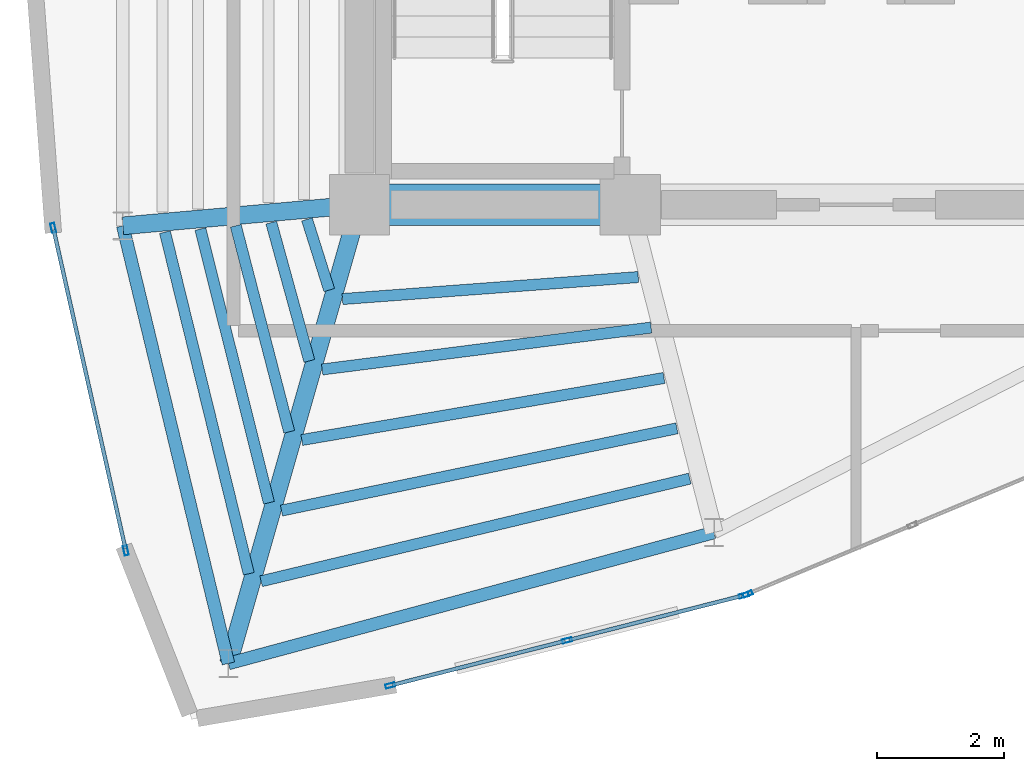
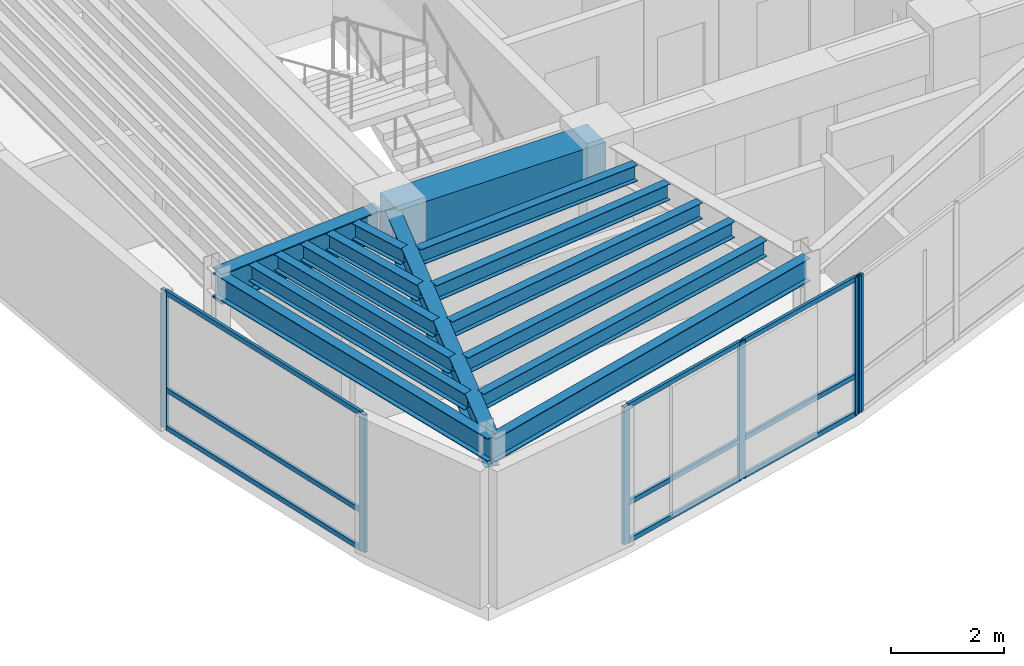
# One storey, part 2 of 14: 15 beams, 15 members, 3 elements without a shape of their own.
"""IFC4 building model written with IfcOpenShell, lengths in metres."""

from ifc_helpers import new_model, si_unit, direction, frame, origin, origin_2d, place, context, subcontext, project, spatial, rectangle, hollow_rectangle, i_section, extrude, material, layer, layer_set, material_profile, profile_set, type_object, element, aggregate, save


model = new_model("IFC4")

# Units and contexts
model_context = context("Model", 3, precision=1e-05, world=origin(), true_north=direction((0.0, 1.0)))
body_context = subcontext(model_context, "Body", "Model", "MODEL_VIEW")
ifc_project = project(units=[si_unit("LENGTHUNIT", "METRE"), si_unit("AREAUNIT", "SQUARE_METRE"), si_unit("VOLUMEUNIT", "CUBIC_METRE"), si_unit("PLANEANGLEUNIT", "RADIAN"), si_unit("MASSUNIT", "GRAM", prefix="KILO")], contexts=[model_context])

# Site, building, storey
site_placement = place(None, origin())
site = spatial("IfcSite", under=ifc_project, at=site_placement, CompositionType="ELEMENT")
building_placement = place(site_placement, origin())
building = spatial("IfcBuilding", under=site, at=building_placement, Name="Menara Vayukalpa", CompositionType="ELEMENT")
storey_placement = place(building_placement, frame((0.0, 0.0, 299.219970703125)))
storey = spatial("IfcBuildingStorey", under=building, at=storey_placement, Name="L76", CompositionType="ELEMENT", Elevation=299.219970703125)

# Beams
ifc_material_1 = material(Name="Concrete C60/75", Category="concrete")
ifc_material_profile_1 = material_profile(ifc_material_1, rectangle(XDim=0.64990234375, YDim=0.85009765625, at=origin_2d()), Name="RC 650x850")
ifc_profile_set_1 = profile_set([ifc_material_profile_1], Name="Concrete C60/75")
beam_type_1 = type_object("IfcBeamType", Name="BM-CB1", PredefinedType="BEAM", material=ifc_profile_set_1)
beam_1_placement = place(storey_placement, frame((17.800048828125, 17.199951171875, 2.554931640625), z_axis=(1.0, 0.0, 0.0), x_axis=(0.0, 1.0, 0.0)))
element("IfcBeam", 1, at=beam_1_placement, inside=storey, type_object=beam_type_1, Name="L76 Core Tie Beam CBR1", PredefinedType="BEAM", context=body_context, shape_type="SweptSolid", body=[
    extrude(rectangle(XDim=0.64990234375, YDim=0.85009765625, at=origin_2d()), origin(), (0.0, 0.0, 1.0), 4.25),
])
ifc_material_2 = material(Name="Steel S355", Category="steel")
ifc_material_profile_2 = material_profile(ifc_material_2, i_section(OverallWidth=0.280029296875, OverallDepth=0.64990234375, WebThickness=0.012939453125, FlangeThickness=0.02197265625, at=origin_2d()), Name="WF 650x280x13x22")
ifc_profile_set_2 = profile_set([ifc_material_profile_2], Name="Steel S355")
beam_type_2 = type_object("IfcBeamType", Name="BM-PG6", PredefinedType="BEAM", material=ifc_profile_set_2)
beam_2_placement = place(storey_placement, frame((17.551025390625, 17.177734375, 2.655029296875), z_axis=(-0.996018615253, -0.089145488221, 0.0), x_axis=(0.089145488221, -0.996018615253, 0.0)))
element("IfcBeam", 2, at=beam_2_placement, inside=storey, type_object=beam_type_2, Name="L76 Primary Radial Girder RG06", PredefinedType="BEAM", context=body_context, shape_type="SweptSolid", body=[
    extrude(i_section(OverallWidth=0.280029296875, OverallDepth=0.64990234375, WebThickness=0.012939453125, FlangeThickness=0.02197265625, at=origin_2d()), origin(), (0.0, 0.0, 1.0), 3.483642578125),
])
beam_3_placement = place(storey_placement, frame((17.731201171875, 16.959716796875, 2.655029296875), z_axis=(-0.274721127897, -0.961523947641, 0.0), x_axis=(0.961523947641, -0.274721127897, 0.0)))
element("IfcBeam", 3, at=beam_3_placement, inside=storey, type_object=beam_type_2, Name="L76 Primary Radial Girder RG07", PredefinedType="BEAM", context=body_context, shape_type="SweptSolid", body=[
    extrude(i_section(OverallWidth=0.280029296875, OverallDepth=0.64990234375, WebThickness=0.012939453125, FlangeThickness=0.02197265625, at=origin_2d()), origin(), (0.0, 0.0, 1.0), 7.246337890625),
])
ifc_material_3 = material(Name="Steel S355", Category="steel")
ifc_material_profile_3 = material_profile(ifc_material_3, i_section(OverallWidth=0.175048828125, OverallDepth=0.35009765625, WebThickness=0.007080078125, FlangeThickness=0.010986328125, at=origin_2d()), Name="WF 350x175x7x11")
ifc_profile_set_3 = profile_set([ifc_material_profile_3], Name="Steel S355")
beam_type_3 = type_object("IfcBeamType", Name="BM-SJ3", PredefinedType="JOIST", material=ifc_profile_set_3)
beam_4_placement = place(storey_placement, frame((16.974609375, 16.96923828125, 2.804931640625), z_axis=(0.300720135723, -0.953712430437, 0.0), x_axis=(0.953712430437, 0.300720135723, 0.0)))
element("IfcBeam", 4, at=beam_4_placement, inside=storey, type_object=beam_type_3, Name="L76 Secondary Floor Joist SJ06-1", PredefinedType="JOIST", context=body_context, shape_type="SweptSolid", body=[
    extrude(i_section(OverallWidth=0.175048828125, OverallDepth=0.35009765625, WebThickness=0.007080078125, FlangeThickness=0.010986328125, at=origin_2d()), origin(), (0.0, 0.0, 1.0), 1.1650390625),
])
beam_5_placement = place(storey_placement, frame((16.413818359375, 16.91796875, 2.804931640625), z_axis=(0.265408257597, -0.964136119435, 0.0), x_axis=(0.964136119435, 0.265408257597, 0.0)))
element("IfcBeam", 5, at=beam_5_placement, inside=storey, type_object=beam_type_3, Name="L76 Secondary Floor Joist SJ06-2", PredefinedType="JOIST", context=body_context, shape_type="SweptSolid", body=[
    extrude(i_section(OverallWidth=0.175048828125, OverallDepth=0.35009765625, WebThickness=0.007080078125, FlangeThickness=0.010986328125, at=origin_2d()), origin(), (0.0, 0.0, 1.0), 2.253662109375),
])
beam_6_placement = place(storey_placement, frame((15.8564453125, 16.86767578125, 2.804931640625), z_axis=(0.25101283466, -0.96798375856, 0.0), x_axis=(0.96798375856, 0.25101283466, 0.0)))
element("IfcBeam", 6, at=beam_6_placement, inside=storey, type_object=beam_type_3, Name="L76 Secondary Floor Joist SJ06-3", PredefinedType="JOIST", context=body_context, shape_type="SweptSolid", body=[
    extrude(i_section(OverallWidth=0.175048828125, OverallDepth=0.35009765625, WebThickness=0.007080078125, FlangeThickness=0.010986328125, at=origin_2d()), origin(), (0.0, 0.0, 1.0), 3.343994140625),
])
beam_7_placement = place(storey_placement, frame((15.300048828125, 16.817626953125, 2.804931640625), z_axis=(0.243183291128, -0.969980353882, 0.0), x_axis=(0.969980353882, 0.243183291128, 0.0)))
element("IfcBeam", 7, at=beam_7_placement, inside=storey, type_object=beam_type_3, Name="L76 Secondary Floor Joist SJ06-4", PredefinedType="JOIST", context=body_context, shape_type="SweptSolid", body=[
    extrude(i_section(OverallWidth=0.175048828125, OverallDepth=0.35009765625, WebThickness=0.007080078125, FlangeThickness=0.010986328125, at=origin_2d()), origin(), (0.0, 0.0, 1.0), 4.434326171875),
])
beam_8_placement = place(storey_placement, frame((14.744140625, 16.767578125, 2.804931640625), z_axis=(0.238311967576, -0.971188656292, 0.0), x_axis=(0.971188656292, 0.238311967576, 0.0)))
element("IfcBeam", 8, at=beam_8_placement, inside=storey, type_object=beam_type_3, Name="L76 Secondary Floor Joist SJ06-5", PredefinedType="JOIST", context=body_context, shape_type="SweptSolid", body=[
    extrude(i_section(OverallWidth=0.175048828125, OverallDepth=0.35009765625, WebThickness=0.007080078125, FlangeThickness=0.010986328125, at=origin_2d()), origin(), (0.0, 0.0, 1.0), 5.52490234375),
])
beam_9_placement = place(storey_placement, frame((17.532470703125, 15.71728515625, 2.804931640625), z_axis=(0.997251719177, 0.074087843793, 0.0), x_axis=(-0.074087843793, 0.997251719177, 0.0)))
element("IfcBeam", 9, at=beam_9_placement, inside=storey, type_object=beam_type_3, Name="L76 Secondary Floor Joist SJ07-1", PredefinedType="JOIST", context=body_context, shape_type="SweptSolid", body=[
    extrude(i_section(OverallWidth=0.175048828125, OverallDepth=0.35009765625, WebThickness=0.007080078125, FlangeThickness=0.010986328125, at=origin_2d()), origin(), (0.0, 0.0, 1.0), 4.659423828125),
])
beam_10_placement = place(storey_placement, frame((17.213134765625, 14.61083984375, 2.804931640625), z_axis=(0.99198755764, 0.126335606566, 0.0), x_axis=(-0.126335606566, 0.99198755764, 0.0)))
element("IfcBeam", 10, at=beam_10_placement, inside=storey, type_object=beam_type_3, Name="L76 Secondary Floor Joist SJ07-2", PredefinedType="JOIST", context=body_context, shape_type="SweptSolid", body=[
    extrude(i_section(OverallWidth=0.175048828125, OverallDepth=0.35009765625, WebThickness=0.007080078125, FlangeThickness=0.010986328125, at=origin_2d()), origin(), (0.0, 0.0, 1.0), 5.2099609375),
])
beam_11_placement = place(storey_placement, frame((16.8935546875, 13.5029296875, 2.804931640625), z_axis=(0.985653829347, 0.168779526877, 0.0), x_axis=(-0.168779526877, 0.985653829347, 0.0)))
element("IfcBeam", 11, at=beam_11_placement, inside=storey, type_object=beam_type_3, Name="L76 Secondary Floor Joist SJ07-3", PredefinedType="JOIST", context=body_context, shape_type="SweptSolid", body=[
    extrude(i_section(OverallWidth=0.175048828125, OverallDepth=0.35009765625, WebThickness=0.007080078125, FlangeThickness=0.010986328125, at=origin_2d()), origin(), (0.0, 0.0, 1.0), 5.77294921875),
])
beam_12_placement = place(storey_placement, frame((16.573974609375, 12.393798828125, 2.804931640625), z_axis=(0.979026809099, 0.203731458211, 0.0), x_axis=(-0.203731458211, 0.979026809099, 0.0)))
element("IfcBeam", 12, at=beam_12_placement, inside=storey, type_object=beam_type_3, Name="L76 Secondary Floor Joist SJ07-4", PredefinedType="JOIST", context=body_context, shape_type="SweptSolid", body=[
    extrude(i_section(OverallWidth=0.175048828125, OverallDepth=0.35009765625, WebThickness=0.007080078125, FlangeThickness=0.010986328125, at=origin_2d()), origin(), (0.0, 0.0, 1.0), 6.34521484375),
])
beam_13_placement = place(storey_placement, frame((16.25439453125, 11.28369140625, 2.804931640625), z_axis=(0.972498563376, 0.232908875382, 0.0), x_axis=(-0.232908875382, 0.972498563376, 0.0)))
element("IfcBeam", 13, at=beam_13_placement, inside=storey, type_object=beam_type_3, Name="L76 Secondary Floor Joist SJ07-5", PredefinedType="JOIST", context=body_context, shape_type="SweptSolid", body=[
    extrude(i_section(OverallWidth=0.175048828125, OverallDepth=0.35009765625, WebThickness=0.007080078125, FlangeThickness=0.010986328125, at=origin_2d()), origin(), (0.0, 0.0, 1.0), 6.924560546875),
])
ifc_material_4 = material(Name="Steel S355", Category="steel")
ifc_material_profile_4 = material_profile(ifc_material_4, i_section(OverallWidth=0.199951171875, OverallDepth=0.5, WebThickness=0.010009765625, FlangeThickness=0.01611328125, at=origin_2d()), Name="WF 500x200x10x16")
ifc_profile_set_4 = profile_set([ifc_material_profile_4], Name="Steel S355")
beam_type_4 = type_object("IfcBeamType", Name="BM-SP3", PredefinedType="SPANDREL", material=ifc_profile_set_4)
beam_14_placement = place(storey_placement, frame((14.081298828125, 16.8671875, 2.72998046875), z_axis=(0.234600039411, -0.97209198202, 0.0), x_axis=(0.97209198202, 0.234600039411, 0.0)))
element("IfcBeam", 14, at=beam_14_placement, inside=storey, type_object=beam_type_4, Name="L76 Perimeter Spandrel Beam SP06", PredefinedType="SPANDREL", context=body_context, shape_type="SweptSolid", body=[
    extrude(i_section(OverallWidth=0.199951171875, OverallDepth=0.5, WebThickness=0.010009765625, FlangeThickness=0.01611328125, at=origin_2d()), origin(), (0.0, 0.0, 1.0), 7.072265625),
])
beam_15_placement = place(storey_placement, frame((15.740478515625, 9.9921875, 2.72998046875), z_axis=(0.965485889412, 0.260455365361, 0.0), x_axis=(-0.260455365361, 0.965485889412, 0.0)))
element("IfcBeam", 15, at=beam_15_placement, inside=storey, type_object=beam_type_4, Name="L76 Perimeter Spandrel Beam SP07", PredefinedType="SPANDREL", context=body_context, shape_type="SweptSolid", body=[
    extrude(i_section(OverallWidth=0.199951171875, OverallDepth=0.5, WebThickness=0.010009765625, FlangeThickness=0.01611328125, at=origin_2d()), origin(), (0.0, 0.0, 1.0), 7.90283203125),
])

# Curtain wall, members
ifc_material_5 = material(Name="Anodised Terracotta Aluminium Alloy 6063-T6", Category="masonry")
ifc_layer = layer(ifc_material_5, 0.14990234375)
ifc_layer_set = layer_set([ifc_layer], Name="Anodised Terracotta Aluminium Alloy 6063-T6")
curtain_wall_type = type_object("IfcCurtainWallType", Name="CW-CW7", PredefinedType="USERDEFINED", material=ifc_layer_set)
curtain_wall_1_placement = place(storey_placement, origin())
curtain_wall_1 = element("IfcCurtainWall", 16, at=curtain_wall_1_placement, inside=storey, type_object=curtain_wall_type, Name="L76 Crown Drum Screened Curtain Wall CW7 12", ObjectType="UNITISED", PredefinedType="USERDEFINED")
ifc_material_6 = material(Name="Anodised Terracotta Aluminium Alloy 6063-T6", Category="masonry")
ifc_material_profile_5 = material_profile(ifc_material_6, hollow_rectangle(XDim=0.06494140625, YDim=0.14990234375, WallThickness=0.00341796875, at=origin_2d()), Name="ALU 65x150x3.5")
ifc_profile_set_5 = profile_set([ifc_material_profile_5], Name="Anodised Terracotta Aluminium Alloy 6063-T6")
member_type_1 = type_object("IfcMemberType", Name="CWM-CW7", PredefinedType="MULLION", material=ifc_profile_set_5)
member_1_placement = place(storey_placement, frame((12.988525390625, 16.83544921875, 0.0), z_axis=(0.0, 0.0, 1.0), x_axis=(0.975608941973, 0.219515813421, 0.0)))
member_1 = element("IfcMember", 17, at=member_1_placement, type_object=member_type_1, Name="CW7 mullion 1", PredefinedType="MULLION", context=body_context, shape_type="SweptSolid", body=[
    extrude(hollow_rectangle(XDim=0.06494140625, YDim=0.14990234375, WallThickness=0.00341796875, at=origin_2d()), origin(), (0.0, 0.0, 1.0), 2.97998046875),
])
member_2_placement = place(storey_placement, frame((14.129150390625, 11.76611328125, 0.0), z_axis=(0.0, 0.0, 1.0), x_axis=(0.975608941973, 0.219515813421, 0.0)))
member_2 = element("IfcMember", 18, at=member_2_placement, type_object=member_type_1, Name="CW7 mullion 2", PredefinedType="MULLION", context=body_context, shape_type="SweptSolid", body=[
    extrude(hollow_rectangle(XDim=0.06494140625, YDim=0.14990234375, WallThickness=0.00341796875, at=origin_2d()), origin(), (0.0, 0.0, 1.0), 2.97998046875),
])

curtain_wall_2_placement = place(storey_placement, origin())
curtain_wall_2 = element("IfcCurtainWall", 19, at=curtain_wall_2_placement, inside=storey, type_object=curtain_wall_type, Name="L76 Crown Drum Screened Curtain Wall CW7 15", ObjectType="UNITISED", PredefinedType="USERDEFINED")
member_3_placement = place(storey_placement, frame((18.284423828125, 9.64599609375, 0.0), z_axis=(0.0, 0.0, 1.0), x_axis=(-0.247123764219, 0.968983924097, 0.0)))
member_3 = element("IfcMember", 20, at=member_3_placement, type_object=member_type_1, Name="CW7 mullion 1", PredefinedType="MULLION", context=body_context, shape_type="SweptSolid", body=[
    extrude(hollow_rectangle(XDim=0.06494140625, YDim=0.14990234375, WallThickness=0.00341796875, at=origin_2d()), origin(), (0.0, 0.0, 1.0), 2.97998046875),
])
member_4_placement = place(storey_placement, frame((21.0615234375, 10.354248046875, 0.0), z_axis=(0.0, 0.0, 1.0), x_axis=(-0.247123764219, 0.968983924097, 0.0)))
member_4 = element("IfcMember", 21, at=member_4_placement, type_object=member_type_1, Name="CW7 mullion 2", PredefinedType="MULLION", context=body_context, shape_type="SweptSolid", body=[
    extrude(hollow_rectangle(XDim=0.06494140625, YDim=0.14990234375, WallThickness=0.00341796875, at=origin_2d()), origin(), (0.0, 0.0, 1.0), 2.97998046875),
])
member_5_placement = place(storey_placement, frame((23.83837890625, 11.062255859375, 0.0), z_axis=(0.0, 0.0, 1.0), x_axis=(-0.247123764219, 0.968983924097, 0.0)))
member_5 = element("IfcMember", 22, at=member_5_placement, type_object=member_type_1, Name="CW7 mullion 3", PredefinedType="MULLION", context=body_context, shape_type="SweptSolid", body=[
    extrude(hollow_rectangle(XDim=0.06494140625, YDim=0.14990234375, WallThickness=0.00341796875, at=origin_2d()), origin(), (0.0, 0.0, 1.0), 2.97998046875),
])

# Curtain wall, member
curtain_wall_3_placement = place(storey_placement, origin())
curtain_wall_3 = element("IfcCurtainWall", 23, at=curtain_wall_3_placement, inside=storey, type_object=curtain_wall_type, Name="L76 Crown Drum Screened Curtain Wall CW7 16", ObjectType="UNITISED", PredefinedType="USERDEFINED")
member_6_placement = place(storey_placement, frame((23.89990234375, 11.0830078125, 0.0), z_axis=(0.0, 0.0, 1.0), x_axis=(-0.385898361946, 0.922541302191, 0.0)))
member_6 = element("IfcMember", 24, at=member_6_placement, type_object=member_type_1, Name="CW7 mullion 1", PredefinedType="MULLION", context=body_context, shape_type="SweptSolid", body=[
    extrude(hollow_rectangle(XDim=0.06494140625, YDim=0.14990234375, WallThickness=0.00341796875, at=origin_2d()), origin(), (0.0, 0.0, 1.0), 2.97998046875),
])
aggregate(curtain_wall_3, [member_6])

# Member
ifc_material_7 = material(Name="Anodised Terracotta Aluminium Alloy 6063-T6", Category="masonry")
ifc_material_profile_6 = material_profile(ifc_material_7, hollow_rectangle(XDim=0.06005859375, YDim=0.10498046875, WallThickness=0.0029296875, at=origin_2d()), Name="ALU 60x105x3")
ifc_profile_set_6 = profile_set([ifc_material_profile_6], Name="Anodised Terracotta Aluminium Alloy 6063-T6")
member_type_2 = type_object("IfcMemberType", Name="CWT-CW7", PredefinedType="USERDEFINED", material=ifc_profile_set_6)
member_7_placement = place(storey_placement, frame((12.99560546875, 16.8037109375, 0.030029296875), z_axis=(0.219539368084, -0.975603641784, 0.0), x_axis=(0.975603641784, 0.219539368084, 0.0)))
member_7 = element("IfcMember", 25, at=member_7_placement, type_object=member_type_2, Name="CW7 transom 1.1", ObjectType="TRANSOM", PredefinedType="USERDEFINED", context=body_context, shape_type="SweptSolid", body=[
    extrude(hollow_rectangle(XDim=0.06005859375, YDim=0.10498046875, WallThickness=0.0029296875, at=origin_2d()), origin(), (0.0, 0.0, 1.0), 5.131103515625),
])

member_8_placement = place(storey_placement, frame((12.99560546875, 16.8037109375, 0.85009765625), z_axis=(0.219539368084, -0.975603641784, 0.0), x_axis=(0.975603641784, 0.219539368084, 0.0)))
member_8 = element("IfcMember", 26, at=member_8_placement, type_object=member_type_2, Name="CW7 transom 1.2", ObjectType="TRANSOM", PredefinedType="USERDEFINED", context=body_context, shape_type="SweptSolid", body=[
    extrude(hollow_rectangle(XDim=0.06005859375, YDim=0.10498046875, WallThickness=0.0029296875, at=origin_2d()), origin(), (0.0, 0.0, 1.0), 5.131103515625),
])

member_9_placement = place(storey_placement, frame((12.99560546875, 16.8037109375, 2.949951171875), z_axis=(0.219539368084, -0.975603641784, 0.0), x_axis=(0.975603641784, 0.219539368084, 0.0)))
member_9 = element("IfcMember", 27, at=member_9_placement, type_object=member_type_2, Name="CW7 transom 1.3", ObjectType="TRANSOM", PredefinedType="USERDEFINED", context=body_context, shape_type="SweptSolid", body=[
    extrude(hollow_rectangle(XDim=0.06005859375, YDim=0.10498046875, WallThickness=0.0029296875, at=origin_2d()), origin(), (0.0, 0.0, 1.0), 5.131103515625),
])

aggregate(curtain_wall_1, [member_1, member_2, member_7, member_8, member_9])

member_10_placement = place(storey_placement, frame((18.31591796875, 9.654052734375, 0.030029296875), z_axis=(0.968988349591, 0.247106411, 0.0), x_axis=(-0.247106411, 0.968988349591, 0.0)))
member_10 = element("IfcMember", 28, at=member_10_placement, type_object=member_type_2, Name="CW7 transom 1.1", ObjectType="TRANSOM", PredefinedType="USERDEFINED", context=body_context, shape_type="SweptSolid", body=[
    extrude(hollow_rectangle(XDim=0.06005859375, YDim=0.10498046875, WallThickness=0.0029296875, at=origin_2d()), origin(), (0.0, 0.0, 1.0), 2.801025390625),
])

member_11_placement = place(storey_placement, frame((18.31591796875, 9.654052734375, 0.85009765625), z_axis=(0.968988349591, 0.247106411, 0.0), x_axis=(-0.247106411, 0.968988349591, 0.0)))
member_11 = element("IfcMember", 29, at=member_11_placement, type_object=member_type_2, Name="CW7 transom 1.2", ObjectType="TRANSOM", PredefinedType="USERDEFINED", context=body_context, shape_type="SweptSolid", body=[
    extrude(hollow_rectangle(XDim=0.06005859375, YDim=0.10498046875, WallThickness=0.0029296875, at=origin_2d()), origin(), (0.0, 0.0, 1.0), 2.801025390625),
])

member_12_placement = place(storey_placement, frame((18.31591796875, 9.654052734375, 2.949951171875), z_axis=(0.968988349591, 0.247106411, 0.0), x_axis=(-0.247106411, 0.968988349591, 0.0)))
member_12 = element("IfcMember", 30, at=member_12_placement, type_object=member_type_2, Name="CW7 transom 1.3", ObjectType="TRANSOM", PredefinedType="USERDEFINED", context=body_context, shape_type="SweptSolid", body=[
    extrude(hollow_rectangle(XDim=0.06005859375, YDim=0.10498046875, WallThickness=0.0029296875, at=origin_2d()), origin(), (0.0, 0.0, 1.0), 2.801025390625),
])

member_13_placement = place(storey_placement, frame((21.093017578125, 10.362060546875, 0.030029296875), z_axis=(0.968962149671, 0.247209127066, 0.0), x_axis=(-0.247209127066, 0.968962149671, 0.0)))
member_13 = element("IfcMember", 31, at=member_13_placement, type_object=member_type_2, Name="CW7 transom 2.1", ObjectType="TRANSOM", PredefinedType="USERDEFINED", context=body_context, shape_type="SweptSolid", body=[
    extrude(hollow_rectangle(XDim=0.06005859375, YDim=0.10498046875, WallThickness=0.0029296875, at=origin_2d()), origin(), (0.0, 0.0, 1.0), 2.80078125),
])

member_14_placement = place(storey_placement, frame((21.093017578125, 10.362060546875, 0.85009765625), z_axis=(0.968962149671, 0.247209127066, 0.0), x_axis=(-0.247209127066, 0.968962149671, 0.0)))
member_14 = element("IfcMember", 32, at=member_14_placement, type_object=member_type_2, Name="CW7 transom 2.2", ObjectType="TRANSOM", PredefinedType="USERDEFINED", context=body_context, shape_type="SweptSolid", body=[
    extrude(hollow_rectangle(XDim=0.06005859375, YDim=0.10498046875, WallThickness=0.0029296875, at=origin_2d()), origin(), (0.0, 0.0, 1.0), 2.80078125),
])

member_15_placement = place(storey_placement, frame((21.093017578125, 10.362060546875, 2.949951171875), z_axis=(0.968962149671, 0.247209127066, 0.0), x_axis=(-0.247209127066, 0.968962149671, 0.0)))
member_15 = element("IfcMember", 33, at=member_15_placement, type_object=member_type_2, Name="CW7 transom 2.3", ObjectType="TRANSOM", PredefinedType="USERDEFINED", context=body_context, shape_type="SweptSolid", body=[
    extrude(hollow_rectangle(XDim=0.06005859375, YDim=0.10498046875, WallThickness=0.0029296875, at=origin_2d()), origin(), (0.0, 0.0, 1.0), 2.80078125),
])

aggregate(curtain_wall_2, [member_3, member_4, member_5, member_10, member_11, member_12, member_13, member_14, member_15])

save(model, "model.ifc")
